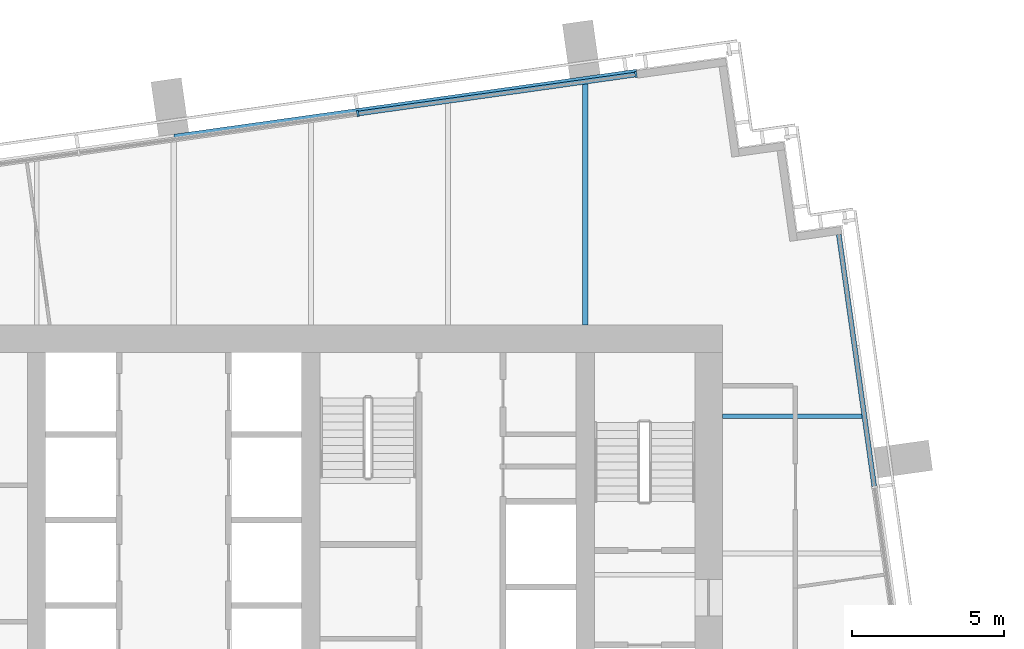
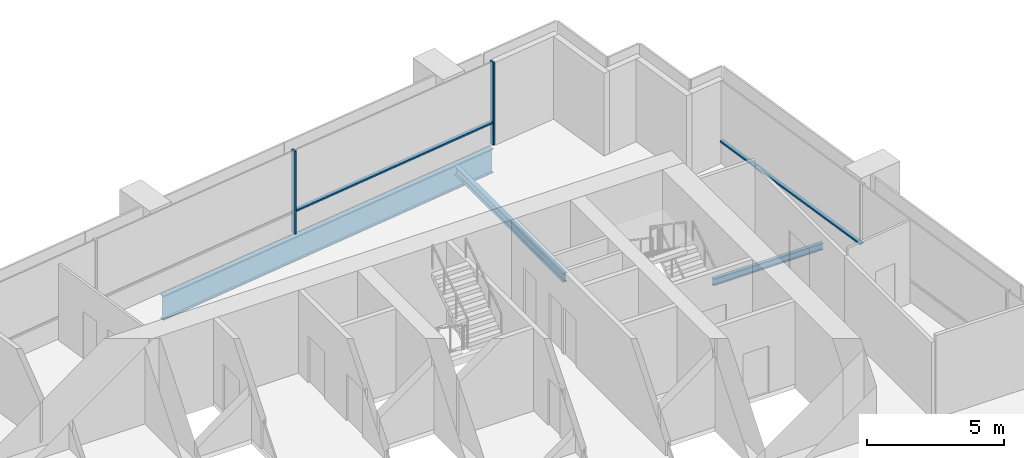
# One storey, part 6 of 15: 4 members, 3 beams, 2 elements without a shape of their own.
"""IFC4 building model written with IfcOpenShell, lengths in metres."""

from ifc_helpers import new_model, si_unit, direction, frame, origin, origin_2d, place, context, subcontext, project, spatial, rectangle, i_section, extrude, material, layer, layer_set, material_profile, profile_set, type_object, element, aggregate, save


model = new_model("IFC4")

# Units and contexts
model_context = context("Model", 3, precision=1e-05, world=origin(), true_north=direction((0.0, 1.0)))
body_context = subcontext(model_context, "Body", "Model", "MODEL_VIEW")
ifc_project = project(units=[si_unit("LENGTHUNIT", "METRE"), si_unit("AREAUNIT", "SQUARE_METRE"), si_unit("VOLUMEUNIT", "CUBIC_METRE"), si_unit("PLANEANGLEUNIT", "RADIAN"), si_unit("MASSUNIT", "GRAM", prefix="KILO")], contexts=[model_context])

# Site, building, storey
site_placement = place(None, origin())
site = spatial("IfcSite", under=ifc_project, at=site_placement, CompositionType="ELEMENT")
building_placement = place(site_placement, origin())
building = spatial("IfcBuilding", under=site, at=building_placement, Name="Rattan Terrace Tower", CompositionType="ELEMENT")
storey_placement = place(building_placement, frame((0.0, 0.0, 262.89990234375)))
storey = spatial("IfcBuildingStorey", under=building, at=storey_placement, Name="L60", CompositionType="ELEMENT", Elevation=262.89990234375)

# Beams
ifc_material_1 = material(Name="Steel S460", Category="steel")
ifc_material_profile_1 = material_profile(ifc_material_1, i_section(OverallWidth=0.179931640625, OverallDepth=1.10009765625, WebThickness=0.01611328125, FlangeThickness=0.050048828125, at=origin_2d()), Name="PG 1100x180-16-50")
ifc_profile_set_1 = profile_set([ifc_material_profile_1], Name="Steel S460")
beam_type_1 = type_object("IfcBeamType", Name="Frame edge girder PG 1100x180-16-50", PredefinedType="SPANDREL", material=ifc_profile_set_1)
beam_1_placement = place(storey_placement, frame((15.18896484375, 15.801025390625, -0.75), z_axis=(-0.99026622182, -0.139186241857, 0.0), x_axis=(0.139186241857, -0.99026622182, 0.0)))
element("IfcBeam", 1, at=beam_1_placement, inside=storey, type_object=beam_type_1, Name="gdr-L60-006", PredefinedType="SPANDREL", context=body_context, shape_type="SweptSolid", body=[
    extrude(i_section(OverallWidth=0.179931640625, OverallDepth=1.10009765625, WebThickness=0.01611328125, FlangeThickness=0.050048828125, at=origin_2d()), origin(), (0.0, 0.0, 1.0), 15.3251953125),
])
ifc_material_2 = material(Name="Steel S355", Category="steel")
ifc_material_profile_2 = material_profile(ifc_material_2, i_section(OverallWidth=0.14990234375, OverallDepth=0.300048828125, WebThickness=0.007080078125, FlangeThickness=0.0107421875, FilletRadius=0.014892578125, at=origin_2d()), Name="IPE 300")
ifc_profile_set_2 = profile_set([ifc_material_profile_2], Name="Steel S355")
beam_type_2 = type_object("IfcBeamType", Name="Frame floor beam IPE 300", PredefinedType="JOIST", material=ifc_profile_set_2)
beam_2_placement = place(storey_placement, frame((18.0, 4.5, -0.349853515625), z_axis=(1.0, 0.0, 0.0), x_axis=(0.0, 1.0, 0.0)))
element("IfcBeam", 2, at=beam_2_placement, inside=storey, type_object=beam_type_2, Name="bm-L60-014", PredefinedType="JOIST", context=body_context, shape_type="SweptSolid", body=[
    extrude(i_section(OverallWidth=0.14990234375, OverallDepth=0.300048828125, WebThickness=0.007080078125, FlangeThickness=0.0107421875, FilletRadius=0.014892578125, at=origin_2d()), origin(), (0.0, 0.0, 1.0), 4.64404296875),
])
ifc_material_3 = material(Name="Steel S355", Category="steel")
ifc_material_profile_3 = material_profile(ifc_material_3, i_section(OverallWidth=0.179931640625, OverallDepth=0.39990234375, WebThickness=0.008544921875, FlangeThickness=0.013427734375, FilletRadius=0.02099609375, at=origin_2d()), Name="IPE 400")
ifc_profile_set_3 = profile_set([ifc_material_profile_3], Name="Steel S355")
beam_type_3 = type_object("IfcBeamType", Name="Frame floor beam IPE 400", PredefinedType="JOIST", material=ifc_profile_set_3)
beam_3_placement = place(storey_placement, frame((13.5, 7.5, -0.39990234375), z_axis=(0.0, 1.0, 0.0), x_axis=(-1.0, 0.0, 0.0)))
element("IfcBeam", 3, at=beam_3_placement, inside=storey, type_object=beam_type_3, Name="bm-L60-021", PredefinedType="JOIST", context=body_context, shape_type="SweptSolid", body=[
    extrude(i_section(OverallWidth=0.179931640625, OverallDepth=0.39990234375, WebThickness=0.008544921875, FlangeThickness=0.013427734375, FilletRadius=0.02099609375, at=origin_2d()), origin(), (0.0, 0.0, 1.0), 7.9599609375),
])

# Curtain wall, members
ifc_material_4 = material(Name="Aluminium and laminated glass", Category="aluminium")
ifc_layer = layer(ifc_material_4, 0.199951171875)
ifc_layer_set = layer_set([ifc_layer], Name="High-Zone Unitised Curtain Wall")
curtain_wall_type = type_object("IfcCurtainWallType", Name="High-Zone Unitised Curtain Wall", PredefinedType="NOTDEFINED", material=ifc_layer_set)
curtain_wall_1_placement = place(storey_placement, origin())
curtain_wall_1 = element("IfcCurtainWall", 4, at=curtain_wall_1_placement, inside=storey, type_object=curtain_wall_type, Name="High-zone curtain wall L60-2", PredefinedType="NOTDEFINED")
ifc_material_5 = material(Name="Aluminium", Category="aluminium")
ifc_material_profile_4 = material_profile(ifc_material_5, rectangle(XDim=0.070068359375, YDim=0.199951171875, at=origin_2d()), Name="Aluminium 70x200")
ifc_profile_set_4 = profile_set([ifc_material_profile_4], Name="Aluminium")
member_type_1 = type_object("IfcMemberType", Name="High-Zone CW Mullion 70x200", PredefinedType="MULLION", material=ifc_profile_set_4)
member_1_placement = place(storey_placement, frame((15.1650390625, 15.716796875, 0.0), z_axis=(0.0, 0.0, 1.0), x_axis=(-0.990265894013, -0.139188574079, 0.0)))
member_1 = element("IfcMember", 5, at=member_1_placement, type_object=member_type_1, Name="Mullion cwl-L60-002.1", PredefinedType="MULLION", context=body_context, shape_type="SweptSolid", body=[
    extrude(rectangle(XDim=0.070068359375, YDim=0.199951171875, at=origin_2d()), origin(), (0.0, 0.0, 1.0), 3.7001953125),
])
member_2_placement = place(storey_placement, frame((6.040771484375, 14.434326171875, 0.0), z_axis=(0.0, 0.0, 1.0), x_axis=(-0.990265894013, -0.139188574079, 0.0)))
member_2 = element("IfcMember", 6, at=member_2_placement, type_object=member_type_1, Name="Mullion cwl-L60-002.2", PredefinedType="MULLION", context=body_context, shape_type="SweptSolid", body=[
    extrude(rectangle(XDim=0.070068359375, YDim=0.199951171875, at=origin_2d()), origin(), (0.0, 0.0, 1.0), 3.7001953125),
])

# Curtain wall, member
curtain_wall_2_placement = place(storey_placement, origin())
curtain_wall_2 = element("IfcCurtainWall", 7, at=curtain_wall_2_placement, inside=storey, type_object=curtain_wall_type, Name="High-zone curtain wall L60-1", PredefinedType="NOTDEFINED")
ifc_material_6 = material(Name="Aluminium", Category="aluminium")
ifc_material_profile_5 = material_profile(ifc_material_6, rectangle(XDim=0.159912109375, YDim=0.070068359375, at=origin_2d()), Name="Aluminium 160x70")
ifc_profile_set_5 = profile_set([ifc_material_profile_5], Name="Aluminium")
member_type_2 = type_object("IfcMemberType", Name="High-Zone CW Transom 160x70", PredefinedType="USERDEFINED", material=ifc_profile_set_5)
member_3_placement = place(storey_placement, frame((22.985107421875, 2.212158203125, 1.0), z_axis=(-0.139198740199, 0.990264465043, 0.0), x_axis=(-0.990264465043, -0.139198740199, 0.0)))
member_3 = element("IfcMember", 8, at=member_3_placement, type_object=member_type_2, Name="Transom cwl-L60-001.3", ObjectType="TRANSOM", PredefinedType="USERDEFINED", context=body_context, shape_type="SweptSolid", body=[
    extrude(rectangle(XDim=0.159912109375, YDim=0.070068359375, at=origin_2d()), origin(), (0.0, 0.0, 1.0), 8.336181640625),
])
aggregate(curtain_wall_2, [member_3])

# Member
member_4_placement = place(storey_placement, frame((15.13037109375, 15.7119140625, 1.0), z_axis=(-0.990266298783, -0.139185694291, 0.0), x_axis=(0.139185694291, -0.990266298783, 0.0)))
member_4 = element("IfcMember", 9, at=member_4_placement, type_object=member_type_2, Name="Transom cwl-L60-002.1", ObjectType="TRANSOM", PredefinedType="USERDEFINED", context=body_context, shape_type="SweptSolid", body=[
    extrude(rectangle(XDim=0.159912109375, YDim=0.070068359375, at=origin_2d()), origin(), (0.0, 0.0, 1.0), 9.14404296875),
])

aggregate(curtain_wall_1, [member_1, member_2, member_4])

save(model, "model.ifc")
